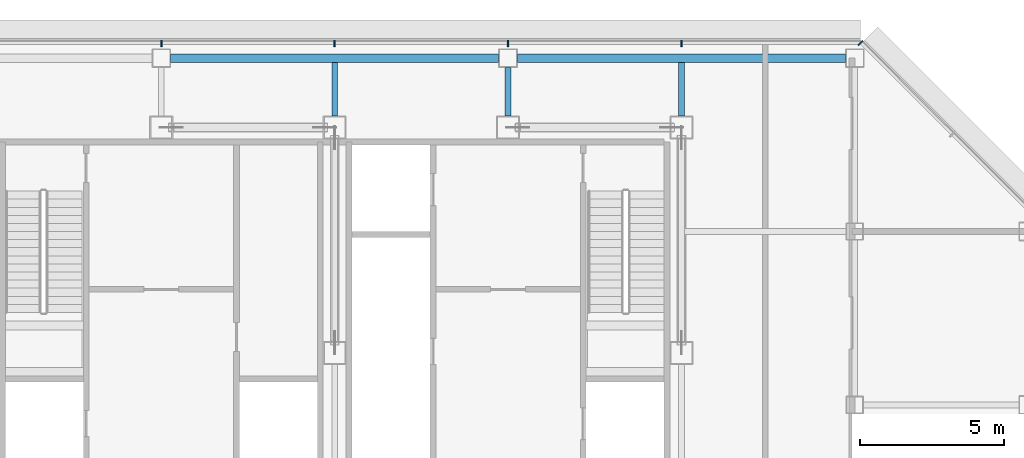
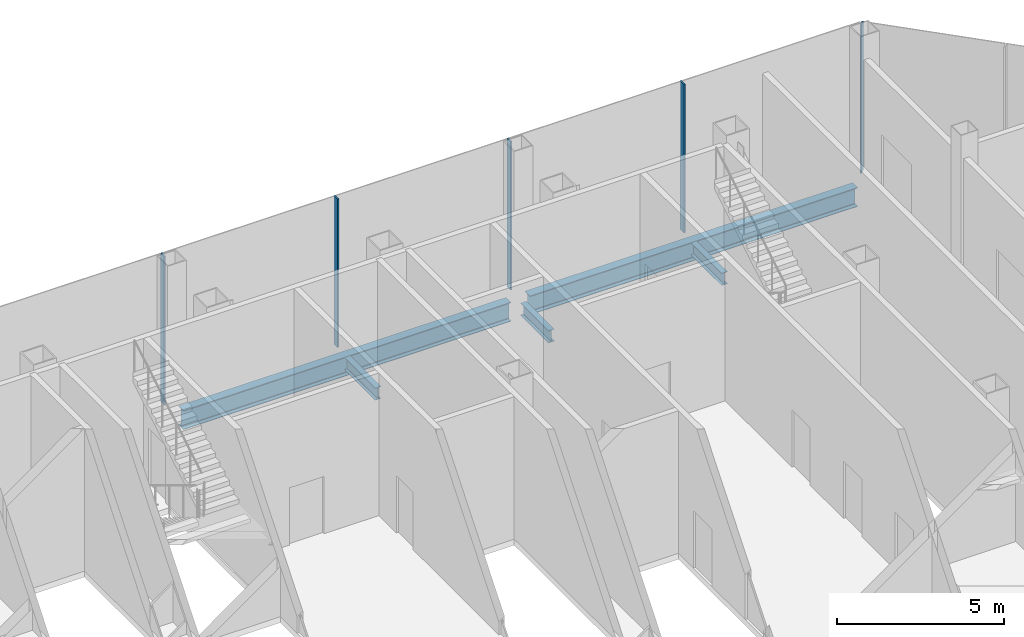
# One storey, part 13 of 25: 5 beams, 5 members, 2 elements without a shape of their own.
"""IFC4 building model written with IfcOpenShell, lengths in metres."""

from ifc_helpers import new_model, si_unit, direction, frame, origin, origin_2d, place, context, subcontext, project, spatial, rectangle, i_section, extrude, material, material_profile, profile_set, type_object, element, aggregate, save


model = new_model("IFC4")

# Units and contexts
model_context = context("Model", 3, precision=1e-05, world=origin(), true_north=direction((0.0, 1.0)))
body_context = subcontext(model_context, "Body", "Model", "MODEL_VIEW")
ifc_project = project(units=[si_unit("LENGTHUNIT", "METRE"), si_unit("AREAUNIT", "SQUARE_METRE"), si_unit("VOLUMEUNIT", "CUBIC_METRE"), si_unit("PLANEANGLEUNIT", "RADIAN"), si_unit("MASSUNIT", "GRAM", prefix="KILO")], contexts=[model_context])

# Site, building, storey
site_placement = place(None, origin())
site = spatial("IfcSite", under=ifc_project, at=site_placement, CompositionType="ELEMENT")
building_placement = place(site_placement, origin())
building = spatial("IfcBuilding", under=site, at=building_placement, Name="Sorahane Residences", CompositionType="ELEMENT")
storey_placement = place(building_placement, frame((0.0, 0.0, 210.0)))
storey = spatial("IfcBuildingStorey", under=building, at=storey_placement, Name="L49", CompositionType="ELEMENT", Elevation=210.0)

# Curtain wall, member
ifc_material_1 = material(Name="Dark low-e glass and black anodised aluminium", Category="aluminium")
curtain_wall_type = type_object("IfcCurtainWallType", Name="Curtain wall CW-4 Sky floor frameless wall", PredefinedType="NOTDEFINED", material=ifc_material_1)
curtain_wall_1_placement = place(storey_placement, origin())
curtain_wall_1 = element("IfcCurtainWall", 1, at=curtain_wall_1_placement, inside=storey, type_object=curtain_wall_type, Name="CW-4 curtain wall L49 NE1", PredefinedType="NOTDEFINED")
ifc_material_2 = material(Name="Black anodised aluminium", Category="aluminium")
ifc_material_profile_1 = material_profile(ifc_material_2, rectangle(XDim=0.219970703125, YDim=0.050048828125, at=origin_2d()), Name="Curtain wall mullion CW-4 black anodised aluminium 50x220")
ifc_profile_set_1 = profile_set([ifc_material_profile_1], Name="Black anodised aluminium")
member_type = type_object("IfcMemberType", Name="Curtain wall mullion CW-4 black anodised aluminium 50x220", PredefinedType="MULLION", material=ifc_profile_set_1)
member_1_placement = place(storey_placement, frame((48.20263671875, 48.518798828125, -0.219970703125), z_axis=(0.0, 0.0, 1.0), x_axis=(0.707106781187, 0.707106781187, 0.0)))
member_1 = element("IfcMember", 2, at=member_1_placement, type_object=member_type, Name="CW-4 mullion L49 NE1.3", PredefinedType="MULLION", context=body_context, shape_type="SweptSolid", body=[
    extrude(rectangle(XDim=0.219970703125, YDim=0.050048828125, at=origin_2d()), origin(), (0.0, 0.0, 1.0), 5.43994140625),
])
aggregate(curtain_wall_1, [member_1])

# Curtain wall, members
curtain_wall_2_placement = place(storey_placement, origin())
curtain_wall_2 = element("IfcCurtainWall", 3, at=curtain_wall_2_placement, inside=storey, type_object=curtain_wall_type, Name="CW-4 curtain wall L49 N1", PredefinedType="NOTDEFINED")
member_2_placement = place(storey_placement, frame((42.0, 48.510009765625, -0.219970703125), z_axis=(0.0, 0.0, 1.0), x_axis=(0.0, 1.0, 0.0)))
member_2 = element("IfcMember", 4, at=member_2_placement, type_object=member_type, Name="CW-4 mullion L49 N1.2", PredefinedType="MULLION", context=body_context, shape_type="SweptSolid", body=[
    extrude(rectangle(XDim=0.219970703125, YDim=0.050048828125, at=origin_2d()), origin(), (0.0, 0.0, 1.0), 5.43994140625),
])
member_3_placement = place(storey_placement, frame((36.0, 48.510009765625, -0.219970703125), z_axis=(0.0, 0.0, 1.0), x_axis=(0.0, 1.0, 0.0)))
member_3 = element("IfcMember", 5, at=member_3_placement, type_object=member_type, Name="CW-4 mullion L49 N1.3", PredefinedType="MULLION", context=body_context, shape_type="SweptSolid", body=[
    extrude(rectangle(XDim=0.219970703125, YDim=0.050048828125, at=origin_2d()), origin(), (0.0, 0.0, 1.0), 5.43994140625),
])
member_4_placement = place(storey_placement, frame((30.0, 48.510009765625, -0.219970703125), z_axis=(0.0, 0.0, 1.0), x_axis=(0.0, 1.0, 0.0)))
member_4 = element("IfcMember", 6, at=member_4_placement, type_object=member_type, Name="CW-4 mullion L49 N1.4", PredefinedType="MULLION", context=body_context, shape_type="SweptSolid", body=[
    extrude(rectangle(XDim=0.219970703125, YDim=0.050048828125, at=origin_2d()), origin(), (0.0, 0.0, 1.0), 5.43994140625),
])
member_5_placement = place(storey_placement, frame((24.0, 48.510009765625, -0.219970703125), z_axis=(0.0, 0.0, 1.0), x_axis=(0.0, 1.0, 0.0)))
member_5 = element("IfcMember", 7, at=member_5_placement, type_object=member_type, Name="CW-4 mullion L49 N1.5", PredefinedType="MULLION", context=body_context, shape_type="SweptSolid", body=[
    extrude(rectangle(XDim=0.219970703125, YDim=0.050048828125, at=origin_2d()), origin(), (0.0, 0.0, 1.0), 5.43994140625),
])
aggregate(curtain_wall_2, [member_2, member_3, member_4, member_5])

# Beams
ifc_material_3 = material(Name="Steel Q355B", Category="steel")
ifc_material_profile_2 = material_profile(ifc_material_3, i_section(OverallWidth=0.199951171875, OverallDepth=0.449951171875, WebThickness=0.009033203125, FlangeThickness=0.013916015625, FilletRadius=0.02001953125, at=origin_2d()), Name="HN 450x200x9x14")
ifc_profile_set_2 = profile_set([ifc_material_profile_2], Name="Steel Q355B")
beam_type_1 = type_object("IfcBeamType", Name="Steel floor beam HN 450x200x9x14 Q355B", PredefinedType="BEAM", material=ifc_profile_set_2)
beam_1_placement = place(storey_placement, frame((30.0, 46.0, -0.445068359375), z_axis=(0.0, 1.0, 0.0), x_axis=(-1.0, 0.0, 0.0)))
element("IfcBeam", 8, at=beam_1_placement, inside=storey, type_object=beam_type_1, Name="Beam L49 049", PredefinedType="BEAM", context=body_context, shape_type="SweptSolid", body=[
    extrude(i_section(OverallWidth=0.199951171875, OverallDepth=0.449951171875, WebThickness=0.009033203125, FlangeThickness=0.013916015625, FilletRadius=0.02001953125, at=origin_2d()), origin(), (0.0, 0.0, 1.0), 1.85009765625),
])
beam_2_placement = place(storey_placement, frame((36.0, 46.0, -0.445068359375), z_axis=(0.0, 1.0, 0.0), x_axis=(-1.0, 0.0, 0.0)))
element("IfcBeam", 9, at=beam_2_placement, inside=storey, type_object=beam_type_1, Name="Beam L49 051", PredefinedType="BEAM", context=body_context, shape_type="SweptSolid", body=[
    extrude(i_section(OverallWidth=0.199951171875, OverallDepth=0.449951171875, WebThickness=0.009033203125, FlangeThickness=0.013916015625, FilletRadius=0.02001953125, at=origin_2d()), origin(), (0.0, 0.0, 1.0), 1.675048828125),
])
beam_3_placement = place(storey_placement, frame((42.0, 46.0, -0.445068359375), z_axis=(0.0, 1.0, 0.0), x_axis=(-1.0, 0.0, 0.0)))
element("IfcBeam", 10, at=beam_3_placement, inside=storey, type_object=beam_type_1, Name="Beam L49 057", PredefinedType="BEAM", context=body_context, shape_type="SweptSolid", body=[
    extrude(i_section(OverallWidth=0.199951171875, OverallDepth=0.449951171875, WebThickness=0.009033203125, FlangeThickness=0.013916015625, FilletRadius=0.02001953125, at=origin_2d()), origin(), (0.0, 0.0, 1.0), 1.85009765625),
])
ifc_material_4 = material(Name="Steel Q355B", Category="steel")
ifc_material_profile_3 = material_profile(ifc_material_4, i_section(OverallWidth=0.300048828125, OverallDepth=0.699951171875, WebThickness=0.012939453125, FlangeThickness=0.02392578125, FilletRadius=0.028076171875, at=origin_2d()), Name="HN 700x300x13x24")
ifc_profile_set_3 = profile_set([ifc_material_profile_3], Name="Steel Q355B")
beam_type_2 = type_object("IfcBeamType", Name="Steel floor beam HN 700x300x13x24 Q355B", PredefinedType="BEAM", material=ifc_profile_set_3)
for number, where, z_axis, x_axis, name in (
    (11, (24.324951171875, 48.0, -0.570068359375), (1.0, 0.0, 0.0), (0.0, 1.0, 0.0), "Beam L49 018"),
    (12, (36.324951171875, 48.0, -0.570068359375), (1.0, 0.0, 0.0), (0.0, 1.0, 0.0), "Beam L49 019"),
):
    element("IfcBeam", number, at=place(storey_placement, frame(where, z_axis=z_axis, x_axis=x_axis)), inside=storey, type_object=beam_type_2, Name=name, PredefinedType="BEAM", context=body_context, shape_type="SweptSolid", body=[
        extrude(i_section(OverallWidth=0.300048828125, OverallDepth=0.699951171875, WebThickness=0.012939453125, FlangeThickness=0.02392578125, FilletRadius=0.028076171875, at=origin_2d()), origin(), (0.0, 0.0, 1.0), 11.35009765625),
    ])

save(model, "model.ifc")
